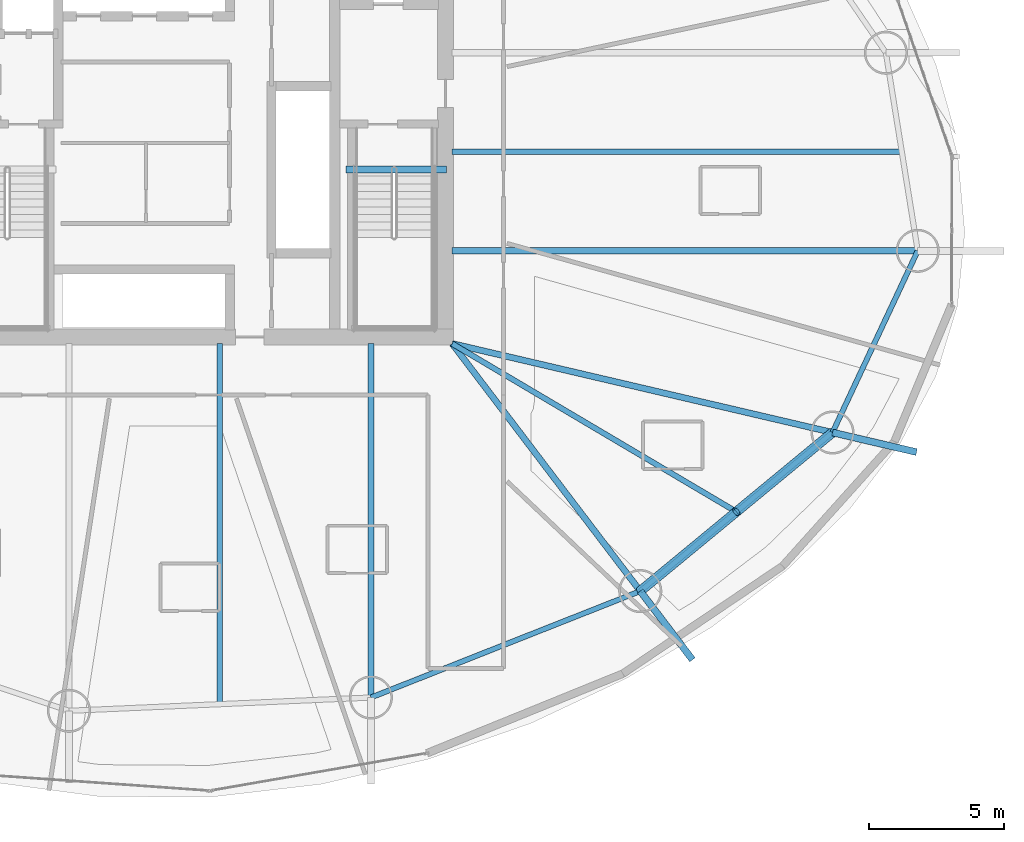
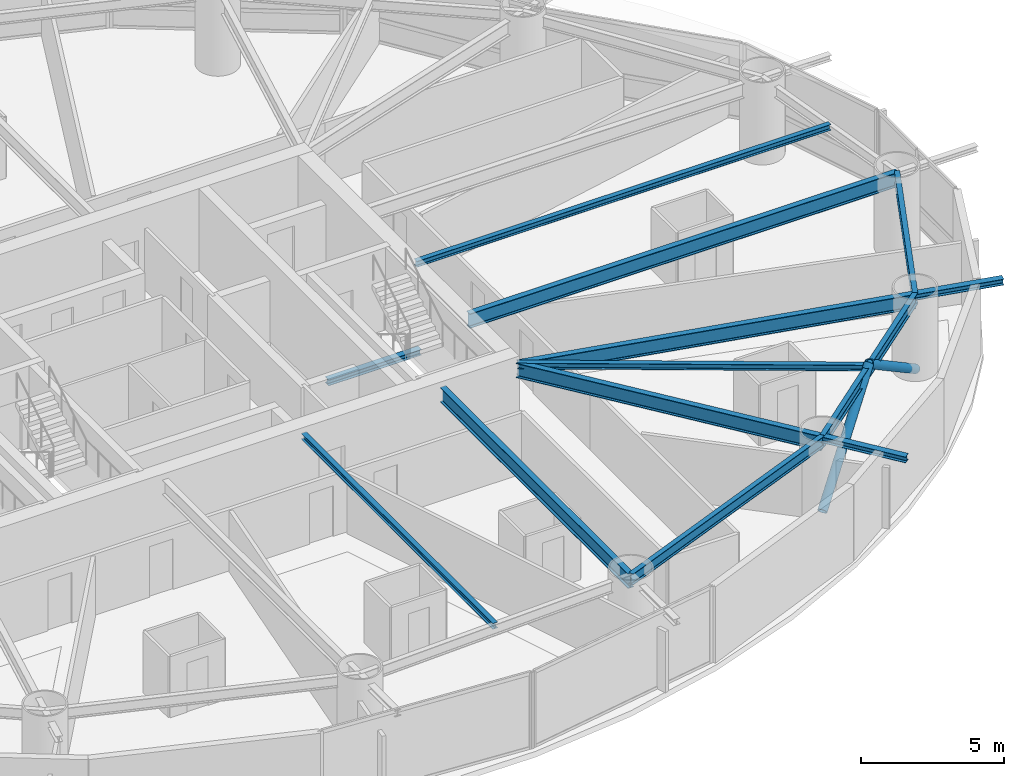
# One storey, part 9 of 27: 13 beams, 2 members.
"""IFC4 building model written with IfcOpenShell, lengths in metres."""

from ifc_helpers import new_model, si_unit, direction, frame, origin, origin_2d, place, context, subcontext, project, spatial, hollow_circle, i_section, extrude, material, material_profile, profile_set, type_object, element, save


model = new_model("IFC4")

# Units and contexts
model_context = context("Model", 3, precision=1e-05, world=origin(), true_north=direction((0.0, 1.0)))
body_context = subcontext(model_context, "Body", "Model", "MODEL_VIEW")
ifc_project = project(units=[si_unit("LENGTHUNIT", "METRE"), si_unit("AREAUNIT", "SQUARE_METRE"), si_unit("VOLUMEUNIT", "CUBIC_METRE"), si_unit("PLANEANGLEUNIT", "RADIAN"), si_unit("MASSUNIT", "GRAM", prefix="KILO")], contexts=[model_context])

# Site, building, storey
site_placement = place(None, origin())
site = spatial("IfcSite", under=ifc_project, at=site_placement, CompositionType="ELEMENT")
building_placement = place(site_placement, origin())
building = spatial("IfcBuilding", under=site, at=building_placement, Name="Bramvorn Convention Spire", CompositionType="ELEMENT")
storey_placement = place(building_placement, frame((0.0, 0.0, 79.89990234375)))
storey = spatial("IfcBuildingStorey", under=building, at=storey_placement, Name="L18", CompositionType="ELEMENT", Elevation=79.89990234375)

# Beams
ifc_material = material(Name="Steel CSA G40.21 Grade 350 (350W)", Category="steel")
ifc_material_profile_1 = material_profile(ifc_material, i_section(OverallWidth=0.201904296875, OverallDepth=0.2470703125, WebThickness=0.00732421875, FlangeThickness=0.010986328125, FilletRadius=0.011962890625, at=origin_2d()))
ifc_profile_set_1 = profile_set([ifc_material_profile_1], Name="Steel CSA G40.21 Grade 350 (350W) - W250X49")
beam_type_1 = type_object("IfcBeamType", Name="BM-W250X49", PredefinedType="JOIST", material=ifc_profile_set_1)
beam_1_placement = place(storey_placement, frame((49.25, 25.666015625, 3.126708984375), z_axis=(1.0, 0.0, 0.0), x_axis=(0.0, 1.0, 0.0)))
element("IfcBeam", 1, at=beam_1_placement, inside=storey, type_object=beam_type_1, Name="L18 composite floor joist 01", PredefinedType="JOIST", context=body_context, shape_type="SweptSolid", body=[
    extrude(i_section(OverallWidth=0.201904296875, OverallDepth=0.2470703125, WebThickness=0.00732421875, FlangeThickness=0.010986328125, FilletRadius=0.011962890625, at=origin_2d()), origin(), (0.0, 0.0, 1.0), 16.67919921875),
])
beam_2_placement = place(storey_placement, frame((40.638427734375, 18.550048828125, 3.126708984375), z_axis=(0.0, -1.0, 0.0), x_axis=(1.0, 0.0, 0.0)))
element("IfcBeam", 2, at=beam_2_placement, inside=storey, type_object=beam_type_1, Name="L18 composite floor joist 13", PredefinedType="JOIST", context=body_context, shape_type="SweptSolid", body=[
    extrude(i_section(OverallWidth=0.201904296875, OverallDepth=0.2470703125, WebThickness=0.00732421875, FlangeThickness=0.010986328125, FilletRadius=0.011962890625, at=origin_2d()), origin(), (0.0, 0.0, 1.0), 13.372802734375),
])
beam_3_placement = place(storey_placement, frame((49.25, 18.550048828125, 3.126708984375), z_axis=(0.860664556648, -0.509172388223, 0.0), x_axis=(0.509172388223, 0.860664556648, 0.0)))
element("IfcBeam", 3, at=beam_3_placement, inside=storey, type_object=beam_type_1, Name="L18 composite floor joist 15", PredefinedType="JOIST", context=body_context, shape_type="SweptSolid", body=[
    extrude(i_section(OverallWidth=0.201904296875, OverallDepth=0.2470703125, WebThickness=0.00732421875, FlangeThickness=0.010986328125, FilletRadius=0.011962890625, at=origin_2d()), origin(), (0.0, 0.0, 1.0), 12.25048828125),
])
ifc_material_profile_2 = material_profile(ifc_material, i_section(OverallWidth=0.25390625, OverallDepth=0.2529296875, WebThickness=0.008544921875, FlangeThickness=0.01416015625, FilletRadius=0.011962890625, at=origin_2d()))
ifc_profile_set_2 = profile_set([ifc_material_profile_2], Name="Steel CSA G40.21 Grade 350 (350W) - W250X73")
beam_type_2 = type_object("IfcBeamType", Name="BM-W250X73", PredefinedType="BEAM", material=ifc_profile_set_2)
beam_4_placement = place(storey_placement, frame((56.227783203125, 9.371337890625, 3.12353515625), z_axis=(0.605150969009, -0.796110736461, 0.0), x_axis=(0.796110736461, 0.605150969009, 0.0)))
element("IfcBeam", 4, at=beam_4_placement, inside=storey, type_object=beam_type_2, Name="L18 slab-edge cantilever tip beam MC15", PredefinedType="BEAM", context=body_context, shape_type="SweptSolid", body=[
    extrude(i_section(OverallWidth=0.25390625, OverallDepth=0.2529296875, WebThickness=0.008544921875, FlangeThickness=0.01416015625, FilletRadius=0.011962890625, at=origin_2d()), origin(), (0.0, 0.0, 1.0), 3.199951171875),
])
beam_5_placement = place(storey_placement, frame((63.35888671875, 15.253662109375, 3.12353515625), z_axis=(0.973778145797, -0.227499720367, 0.0), x_axis=(0.227499720367, 0.973778145797, 0.0)))
element("IfcBeam", 5, at=beam_5_placement, inside=storey, type_object=beam_type_2, Name="L18 slab-edge cantilever tip beam MC16", PredefinedType="BEAM", context=body_context, shape_type="SweptSolid", body=[
    extrude(i_section(OverallWidth=0.25390625, OverallDepth=0.2529296875, WebThickness=0.008544921875, FlangeThickness=0.01416015625, FilletRadius=0.011962890625, at=origin_2d()), origin(), (0.0, 0.0, 1.0), 3.2001953125),
])
beam_6_placement = place(storey_placement, frame((45.31005859375, 25.010009765625, -0.12646484375), z_axis=(1.0, 0.0, 0.0), x_axis=(0.0, 1.0, 0.0)))
element("IfcBeam", 6, at=beam_6_placement, inside=storey, type_object=beam_type_2, Name="L18 ST2 stair arrival header beam", PredefinedType="BEAM", context=body_context, shape_type="SweptSolid", body=[
    extrude(i_section(OverallWidth=0.25390625, OverallDepth=0.2529296875, WebThickness=0.008544921875, FlangeThickness=0.01416015625, FilletRadius=0.011962890625, at=origin_2d()), origin(), (0.0, 0.0, 1.0), 3.739990234375),
])
ifc_material_profile_3 = material_profile(ifc_material, i_section(OverallWidth=0.194091796875, OverallDepth=0.468994140625, WebThickness=0.0126953125, FlangeThickness=0.0205078125, FilletRadius=0.01806640625, at=origin_2d()))
ifc_profile_set_3 = profile_set([ifc_material_profile_3], Name="Steel CSA G40.21 Grade 350 (350W) - W460X106")
beam_type_3 = type_object("IfcBeamType", Name="BM-W460X106", PredefinedType="SPANDREL", material=ifc_profile_set_3)
beam_7_placement = place(storey_placement, frame((46.23779296875, 5.42333984375, 3.015625), z_axis=(0.93000950609, 0.367535465749, 0.0), x_axis=(-0.367535465749, 0.93000950609, 0.0)))
element("IfcBeam", 7, at=beam_7_placement, inside=storey, type_object=beam_type_3, Name="L18 mega-column ring beam 14", PredefinedType="SPANDREL", context=body_context, shape_type="SweptSolid", body=[
    extrude(i_section(OverallWidth=0.194091796875, OverallDepth=0.468994140625, WebThickness=0.0126953125, FlangeThickness=0.0205078125, FilletRadius=0.01806640625, at=origin_2d()), origin(), (0.0, 0.0, 1.0), 10.74169921875),
])
beam_8_placement = place(storey_placement, frame((56.227783203125, 9.371337890625, 3.015625), z_axis=(0.771417680101, 0.636329130896, 0.0), x_axis=(-0.636329130896, 0.771417680101, 0.0)))
element("IfcBeam", 8, at=beam_8_placement, inside=storey, type_object=beam_type_3, Name="L18 mega-column ring beam 15", PredefinedType="SPANDREL", context=body_context, shape_type="SweptSolid", body=[
    extrude(i_section(OverallWidth=0.194091796875, OverallDepth=0.468994140625, WebThickness=0.0126953125, FlangeThickness=0.0205078125, FilletRadius=0.01806640625, at=origin_2d()), origin(), (0.0, 0.0, 1.0), 9.244140625),
])
beam_9_placement = place(storey_placement, frame((63.35888671875, 15.253662109375, 3.015625), z_axis=(0.424701955478, 0.9053332254, 0.0), x_axis=(-0.9053332254, 0.424701955478, 0.0)))
element("IfcBeam", 9, at=beam_9_placement, inside=storey, type_object=beam_type_3, Name="L18 mega-column ring beam 16", PredefinedType="SPANDREL", context=body_context, shape_type="SweptSolid", body=[
    extrude(i_section(OverallWidth=0.194091796875, OverallDepth=0.468994140625, WebThickness=0.0126953125, FlangeThickness=0.0205078125, FilletRadius=0.01806640625, at=origin_2d()), origin(), (0.0, 0.0, 1.0), 7.442626953125),
])
ifc_material_profile_4 = material_profile(ifc_material, i_section(OverallWidth=0.22998046875, OverallDepth=0.616943359375, WebThickness=0.01318359375, FlangeThickness=0.022216796875, FilletRadius=0.02001953125, at=origin_2d()))
ifc_profile_set_4 = profile_set([ifc_material_profile_4], Name="Steel CSA G40.21 Grade 350 (350W) - W610X140")
beam_type_4 = type_object("IfcBeamType", Name="BM-W610X140", PredefinedType="BEAM", material=ifc_profile_set_4)
beam_10_placement = place(storey_placement, frame((49.25, 21.99169921875, 2.941650390625), z_axis=(1.0, 0.0, 0.0), x_axis=(0.0, 1.0, 0.0)))
element("IfcBeam", 10, at=beam_10_placement, inside=storey, type_object=beam_type_4, Name="L18 radial floor girder MC01", PredefinedType="BEAM", context=body_context, shape_type="SweptSolid", body=[
    extrude(i_section(OverallWidth=0.22998046875, OverallDepth=0.616943359375, WebThickness=0.01318359375, FlangeThickness=0.022216796875, FilletRadius=0.02001953125, at=origin_2d()), origin(), (0.0, 0.0, 1.0), 17.269775390625),
])
beam_11_placement = place(storey_placement, frame((46.23779296875, 18.550048828125, 2.941650390625), z_axis=(0.0, -1.0, 0.0), x_axis=(1.0, 0.0, 0.0)))
element("IfcBeam", 11, at=beam_11_placement, inside=storey, type_object=beam_type_4, Name="L18 radial floor girder MC14", PredefinedType="BEAM", context=body_context, shape_type="SweptSolid", body=[
    extrude(i_section(OverallWidth=0.22998046875, OverallDepth=0.616943359375, WebThickness=0.01318359375, FlangeThickness=0.022216796875, FilletRadius=0.02001953125, at=origin_2d()), origin(), (0.0, 0.0, 1.0), 13.126708984375),
])
beam_12_placement = place(storey_placement, frame((49.25, 18.550048828125, 2.941650390625), z_axis=(0.605191175112, -0.796080172826, 0.0), x_axis=(0.796080172826, 0.605191175112, 0.0)))
element("IfcBeam", 12, at=beam_12_placement, inside=storey, type_object=beam_type_4, Name="L18 radial floor girder MC15", PredefinedType="BEAM", context=body_context, shape_type="SweptSolid", body=[
    extrude(i_section(OverallWidth=0.22998046875, OverallDepth=0.616943359375, WebThickness=0.01318359375, FlangeThickness=0.022216796875, FilletRadius=0.02001953125, at=origin_2d()), origin(), (0.0, 0.0, 1.0), 11.52978515625),
])
beam_13_placement = place(storey_placement, frame((49.25, 18.550048828125, 2.941650390625), z_axis=(0.973775294862, -0.227511923018, 0.0), x_axis=(0.227511923018, 0.973775294862, 0.0)))
element("IfcBeam", 13, at=beam_13_placement, inside=storey, type_object=beam_type_4, Name="L18 radial floor girder MC16", PredefinedType="BEAM", context=body_context, shape_type="SweptSolid", body=[
    extrude(i_section(OverallWidth=0.22998046875, OverallDepth=0.616943359375, WebThickness=0.01318359375, FlangeThickness=0.022216796875, FilletRadius=0.02001953125, at=origin_2d()), origin(), (0.0, 0.0, 1.0), 14.48876953125),
])

# Members
ifc_material_profile_5 = material_profile(ifc_material, hollow_circle(Radius=0.177734375, WallThickness=0.015869140625, at=origin_2d()))
ifc_profile_set_5 = profile_set([ifc_material_profile_5], Name="Steel CSA G40.21 Grade 350 (350W) - CHS356X16")
member_type = type_object("IfcMemberType", Name="MBR-CHS356X16", PredefinedType="BRACE", material=ifc_profile_set_5)
member_1_placement = place(storey_placement, frame((56.227783203125, 9.371337890625, 0.0), z_axis=(0.631048588012, 0.520523268728, 0.575181020446), x_axis=(-0.636316166913, 0.771428373684, 0.0)))
element("IfcMember", 14, at=member_1_placement, inside=storey, type_object=member_type, Name="L18 perimeter Gothic lancet brace 15A", PredefinedType="BRACE", context=body_context, shape_type="SweptSolid", body=[
    extrude(hollow_circle(Radius=0.177734375, WallThickness=0.015869140625, at=origin_2d()), origin(), (0.0, 0.0, 1.0), 5.650390625),
])
member_2_placement = place(storey_placement, frame((63.35888671875, 15.253662109375, 0.0), z_axis=(-0.631022585513, -0.520537461495, 0.57519670353), x_axis=(0.636342095228, -0.771406985865, 0.0)))
element("IfcMember", 15, at=member_2_placement, inside=storey, type_object=member_type, Name="L18 perimeter Gothic lancet brace 15B", PredefinedType="BRACE", context=body_context, shape_type="SweptSolid", body=[
    extrude(hollow_circle(Radius=0.177734375, WallThickness=0.015869140625, at=origin_2d()), origin(), (0.0, 0.0, 1.0), 5.650146484375),
])

save(model, "model.ifc")
